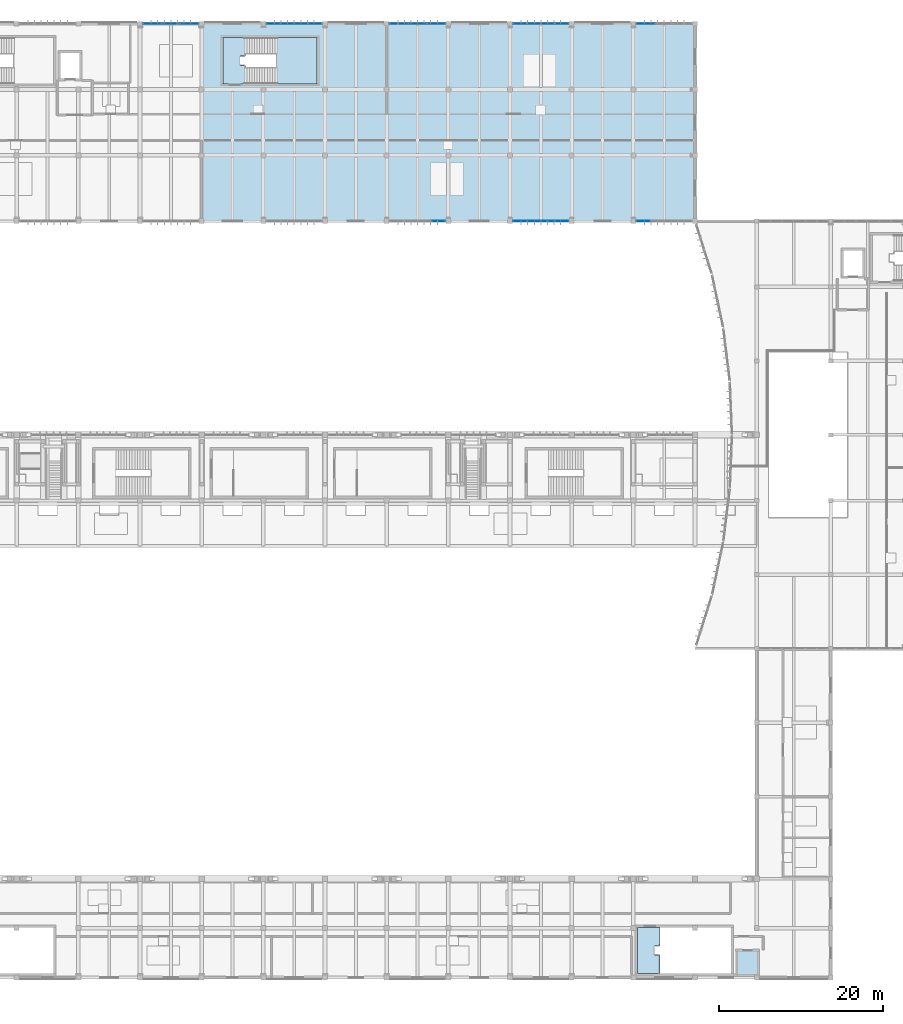
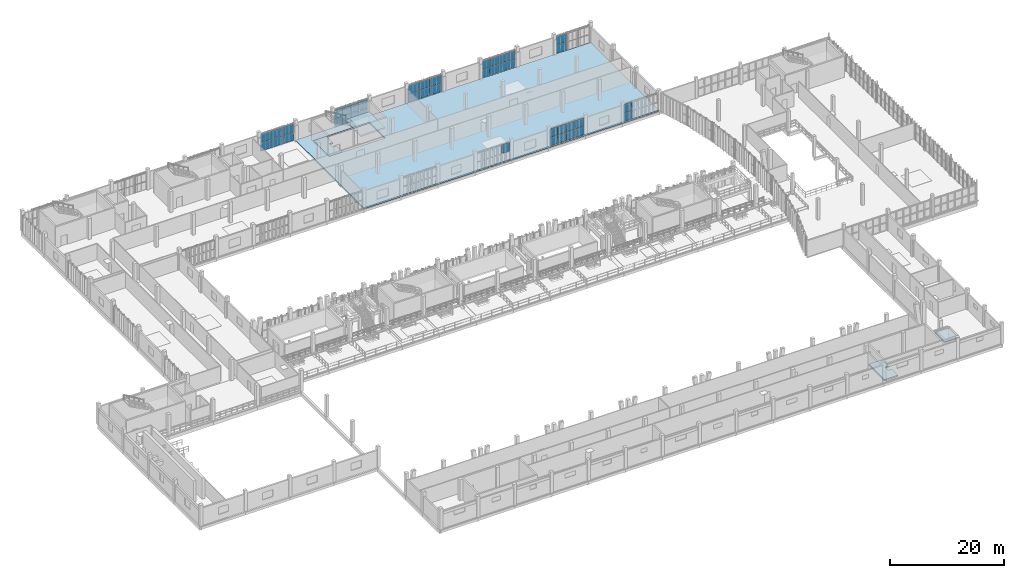
# One storey, part 44 of 81: 41 plates, 5 slabs, 9 elements without a shape of their own.
"""IFC4 building model written with IfcOpenShell, lengths in metres."""

from ifc_helpers import new_model, si_unit, direction, frame, origin, origin_2d, place, context, subcontext, project, spatial, polyline, rectangle, outline, extrude, material, layer, layer_set, type_object, element, aggregate, save


model = new_model("IFC4")

# Units and contexts
model_context = context("Model", 3, precision=1e-05, world=origin(), true_north=direction((0.0, 1.0)))
body_context = subcontext(model_context, "Body", "Model", "MODEL_VIEW")
ifc_project = project(units=[si_unit("LENGTHUNIT", "METRE"), si_unit("AREAUNIT", "SQUARE_METRE"), si_unit("VOLUMEUNIT", "CUBIC_METRE"), si_unit("PLANEANGLEUNIT", "RADIAN"), si_unit("MASSUNIT", "GRAM", prefix="KILO")], contexts=[model_context])

# Site, building, storey
site_placement = place(None, origin())
site = spatial("IfcSite", under=ifc_project, at=site_placement, CompositionType="ELEMENT")
building_placement = place(site_placement, origin())
building = spatial("IfcBuilding", under=site, at=building_placement, Name="Vourika Railside Aquatics Centre", CompositionType="ELEMENT")
storey_placement = place(building_placement, frame((0.0, 0.0, 4.800048828125)))
storey = spatial("IfcBuildingStorey", under=building, at=storey_placement, Name="L01", CompositionType="ELEMENT", Elevation=4.800048828125)

# Curtain wall, plates
ifc_material_1 = material(Name="Anodized thermally broken aluminium", Category="aluminium")
curtain_wall_type = type_object("IfcCurtainWallType", Name="CW-FIT1", PredefinedType="NOTDEFINED", material=ifc_material_1)
curtain_wall_1_placement = place(storey_placement, origin())
curtain_wall_1 = element("IfcCurtainWall", 1, at=curtain_wall_1_placement, inside=storey, type_object=curtain_wall_type, Name="North Boulevard Curtain Wall L01-7", PredefinedType="NOTDEFINED")
ifc_material_2 = material(Name="Low-E solar-control laminated double glazing", Category="glass")
ifc_layer_1 = layer(ifc_material_2, 0.02392578125, Name="CWP-FIT1")
ifc_layer_set_1 = layer_set([ifc_layer_1], Name="Low-E solar-control laminated double glazing")
plate_type = type_object("IfcPlateType", Name="CWP-FIT1", PredefinedType="CURTAIN_PANEL", material=ifc_layer_set_1)
plate_1_placement = place(storey_placement, frame((72.014404296875, 116.0, 0.06201171875), z_axis=(0.0, 0.0, 1.0), x_axis=(-1.0, 0.0, 0.0)))
plate_1 = element("IfcPlate", 2, at=plate_1_placement, type_object=plate_type, Name="CW15 panel 1.1", PredefinedType="CURTAIN_PANEL", context=body_context, shape_type="SweptSolid", body=[
    extrude(rectangle(XDim=2.18701171875, YDim=0.02392578125, at=origin_2d()), origin(), (0.0, 0.0, 1.0), 1.757080078125),
])
plate_2_placement = place(storey_placement, frame((72.014404296875, 116.0, 1.880859375), z_axis=(0.0, 0.0, 1.0), x_axis=(-1.0, 0.0, 0.0)))
plate_2 = element("IfcPlate", 3, at=plate_2_placement, type_object=plate_type, Name="CW15 panel 1.2", PredefinedType="CURTAIN_PANEL", context=body_context, shape_type="SweptSolid", body=[
    extrude(rectangle(XDim=2.18701171875, YDim=0.02392578125, at=origin_2d()), origin(), (0.0, 0.0, 1.0), 1.757080078125),
])
plate_3_placement = place(storey_placement, frame((69.75, 116.0, 0.06201171875), z_axis=(0.0, 0.0, 1.0), x_axis=(-1.0, 0.0, 0.0)))
plate_3 = element("IfcPlate", 4, at=plate_3_placement, type_object=plate_type, Name="CW15 panel 2.1", PredefinedType="CURTAIN_PANEL", context=body_context, shape_type="SweptSolid", body=[
    extrude(rectangle(XDim=2.218017578125, YDim=0.02392578125, at=origin_2d()), origin(), (0.0, 0.0, 1.0), 1.757080078125),
])
plate_4_placement = place(storey_placement, frame((69.75, 116.0, 1.880859375), z_axis=(0.0, 0.0, 1.0), x_axis=(-1.0, 0.0, 0.0)))
plate_4 = element("IfcPlate", 5, at=plate_4_placement, type_object=plate_type, Name="CW15 panel 2.2", PredefinedType="CURTAIN_PANEL", context=body_context, shape_type="SweptSolid", body=[
    extrude(rectangle(XDim=2.218017578125, YDim=0.02392578125, at=origin_2d()), origin(), (0.0, 0.0, 1.0), 1.757080078125),
])
plate_5_placement = place(storey_placement, frame((67.485595703125, 116.0, 0.06201171875), z_axis=(0.0, 0.0, 1.0), x_axis=(-1.0, 0.0, 0.0)))
plate_5 = element("IfcPlate", 6, at=plate_5_placement, type_object=plate_type, Name="CW15 panel 3.1", PredefinedType="CURTAIN_PANEL", context=body_context, shape_type="SweptSolid", body=[
    extrude(rectangle(XDim=2.18701171875, YDim=0.02392578125, at=origin_2d()), origin(), (0.0, 0.0, 1.0), 1.757080078125),
])
plate_6_placement = place(storey_placement, frame((67.485595703125, 116.0, 1.880859375), z_axis=(0.0, 0.0, 1.0), x_axis=(-1.0, 0.0, 0.0)))
plate_6 = element("IfcPlate", 7, at=plate_6_placement, type_object=plate_type, Name="CW15 panel 3.2", PredefinedType="CURTAIN_PANEL", context=body_context, shape_type="SweptSolid", body=[
    extrude(rectangle(XDim=2.18701171875, YDim=0.02392578125, at=origin_2d()), origin(), (0.0, 0.0, 1.0), 1.757080078125),
])
aggregate(curtain_wall_1, [plate_1, plate_2, plate_3, plate_4, plate_5, plate_6])

curtain_wall_2_placement = place(storey_placement, origin())
curtain_wall_2 = element("IfcCurtainWall", 8, at=curtain_wall_2_placement, inside=storey, type_object=curtain_wall_type, Name="North Boulevard Curtain Wall L01-9", PredefinedType="NOTDEFINED")
plate_7_placement = place(storey_placement, frame((87.299560546875, 116.0, 0.06201171875), z_axis=(0.0, 0.0, 1.0), x_axis=(-1.0, 0.0, 0.0)))
plate_7 = element("IfcPlate", 9, at=plate_7_placement, type_object=plate_type, Name="CW15 panel 1.1", PredefinedType="CURTAIN_PANEL", context=body_context, shape_type="SweptSolid", body=[
    extrude(rectangle(XDim=1.616943359375, YDim=0.02392578125, at=origin_2d()), origin(), (0.0, 0.0, 1.0), 1.757080078125),
])
plate_8_placement = place(storey_placement, frame((87.299560546875, 116.0, 1.880859375), z_axis=(0.0, 0.0, 1.0), x_axis=(-1.0, 0.0, 0.0)))
plate_8 = element("IfcPlate", 10, at=plate_8_placement, type_object=plate_type, Name="CW15 panel 1.2", PredefinedType="CURTAIN_PANEL", context=body_context, shape_type="SweptSolid", body=[
    extrude(rectangle(XDim=1.616943359375, YDim=0.02392578125, at=origin_2d()), origin(), (0.0, 0.0, 1.0), 1.757080078125),
])
plate_9_placement = place(storey_placement, frame((85.60498046875, 116.0, 0.06201171875), z_axis=(0.0, 0.0, 1.0), x_axis=(-1.0, 0.0, 0.0)))
plate_9 = element("IfcPlate", 11, at=plate_9_placement, type_object=plate_type, Name="CW15 panel 2.1", PredefinedType="CURTAIN_PANEL", context=body_context, shape_type="SweptSolid", body=[
    extrude(rectangle(XDim=1.64794921875, YDim=0.02392578125, at=origin_2d()), origin(), (0.0, 0.0, 1.0), 1.757080078125),
])
plate_10_placement = place(storey_placement, frame((85.60498046875, 116.0, 1.880859375), z_axis=(0.0, 0.0, 1.0), x_axis=(-1.0, 0.0, 0.0)))
plate_10 = element("IfcPlate", 12, at=plate_10_placement, type_object=plate_type, Name="CW15 panel 2.2", PredefinedType="CURTAIN_PANEL", context=body_context, shape_type="SweptSolid", body=[
    extrude(rectangle(XDim=1.64794921875, YDim=0.02392578125, at=origin_2d()), origin(), (0.0, 0.0, 1.0), 1.757080078125),
])
plate_11_placement = place(storey_placement, frame((83.89501953125, 116.0, 0.06201171875), z_axis=(0.0, 0.0, 1.0), x_axis=(-1.0, 0.0, 0.0)))
plate_11 = element("IfcPlate", 13, at=plate_11_placement, type_object=plate_type, Name="CW15 panel 3.1", PredefinedType="CURTAIN_PANEL", context=body_context, shape_type="SweptSolid", body=[
    extrude(rectangle(XDim=1.64794921875, YDim=0.02392578125, at=origin_2d()), origin(), (0.0, 0.0, 1.0), 1.757080078125),
])
plate_12_placement = place(storey_placement, frame((83.89501953125, 116.0, 1.880859375), z_axis=(0.0, 0.0, 1.0), x_axis=(-1.0, 0.0, 0.0)))
plate_12 = element("IfcPlate", 14, at=plate_12_placement, type_object=plate_type, Name="CW15 panel 3.2", PredefinedType="CURTAIN_PANEL", context=body_context, shape_type="SweptSolid", body=[
    extrude(rectangle(XDim=1.64794921875, YDim=0.02392578125, at=origin_2d()), origin(), (0.0, 0.0, 1.0), 1.757080078125),
])
plate_13_placement = place(storey_placement, frame((82.200439453125, 116.0, 0.06201171875), z_axis=(0.0, 0.0, 1.0), x_axis=(-1.0, 0.0, 0.0)))
plate_13 = element("IfcPlate", 15, at=plate_13_placement, type_object=plate_type, Name="CW15 panel 4.1", PredefinedType="CURTAIN_PANEL", context=body_context, shape_type="SweptSolid", body=[
    extrude(rectangle(XDim=1.616943359375, YDim=0.02392578125, at=origin_2d()), origin(), (0.0, 0.0, 1.0), 1.757080078125),
])
plate_14_placement = place(storey_placement, frame((82.200439453125, 116.0, 1.880859375), z_axis=(0.0, 0.0, 1.0), x_axis=(-1.0, 0.0, 0.0)))
plate_14 = element("IfcPlate", 16, at=plate_14_placement, type_object=plate_type, Name="CW15 panel 4.2", PredefinedType="CURTAIN_PANEL", context=body_context, shape_type="SweptSolid", body=[
    extrude(rectangle(XDim=1.616943359375, YDim=0.02392578125, at=origin_2d()), origin(), (0.0, 0.0, 1.0), 1.757080078125),
])
aggregate(curtain_wall_2, [plate_7, plate_8, plate_9, plate_10, plate_11, plate_12, plate_13, plate_14])

curtain_wall_3_placement = place(storey_placement, origin())
curtain_wall_3 = element("IfcCurtainWall", 17, at=curtain_wall_3_placement, inside=storey, type_object=curtain_wall_type, Name="North Boulevard Curtain Wall L01-11", PredefinedType="NOTDEFINED")
plate_15_placement = place(storey_placement, frame((102.014404296875, 116.0, 0.06201171875), z_axis=(0.0, 0.0, 1.0), x_axis=(-1.0, 0.0, 0.0)))
plate_15 = element("IfcPlate", 18, at=plate_15_placement, type_object=plate_type, Name="CW15 panel 1.1", PredefinedType="CURTAIN_PANEL", context=body_context, shape_type="SweptSolid", body=[
    extrude(rectangle(XDim=2.18701171875, YDim=0.02392578125, at=origin_2d()), origin(), (0.0, 0.0, 1.0), 1.757080078125),
])
plate_16_placement = place(storey_placement, frame((102.014404296875, 116.0, 1.880859375), z_axis=(0.0, 0.0, 1.0), x_axis=(-1.0, 0.0, 0.0)))
plate_16 = element("IfcPlate", 19, at=plate_16_placement, type_object=plate_type, Name="CW15 panel 1.2", PredefinedType="CURTAIN_PANEL", context=body_context, shape_type="SweptSolid", body=[
    extrude(rectangle(XDim=2.18701171875, YDim=0.02392578125, at=origin_2d()), origin(), (0.0, 0.0, 1.0), 1.757080078125),
])
plate_17_placement = place(storey_placement, frame((99.75, 116.0, 0.06201171875), z_axis=(0.0, 0.0, 1.0), x_axis=(-1.0, 0.0, 0.0)))
plate_17 = element("IfcPlate", 20, at=plate_17_placement, type_object=plate_type, Name="CW15 panel 2.1", PredefinedType="CURTAIN_PANEL", context=body_context, shape_type="SweptSolid", body=[
    extrude(rectangle(XDim=2.218017578125, YDim=0.02392578125, at=origin_2d()), origin(), (0.0, 0.0, 1.0), 1.757080078125),
])
plate_18_placement = place(storey_placement, frame((99.75, 116.0, 1.880859375), z_axis=(0.0, 0.0, 1.0), x_axis=(-1.0, 0.0, 0.0)))
plate_18 = element("IfcPlate", 21, at=plate_18_placement, type_object=plate_type, Name="CW15 panel 2.2", PredefinedType="CURTAIN_PANEL", context=body_context, shape_type="SweptSolid", body=[
    extrude(rectangle(XDim=2.218017578125, YDim=0.02392578125, at=origin_2d()), origin(), (0.0, 0.0, 1.0), 1.757080078125),
])
plate_19_placement = place(storey_placement, frame((97.485595703125, 116.0, 0.06201171875), z_axis=(0.0, 0.0, 1.0), x_axis=(-1.0, 0.0, 0.0)))
plate_19 = element("IfcPlate", 22, at=plate_19_placement, type_object=plate_type, Name="CW15 panel 3.1", PredefinedType="CURTAIN_PANEL", context=body_context, shape_type="SweptSolid", body=[
    extrude(rectangle(XDim=2.18701171875, YDim=0.02392578125, at=origin_2d()), origin(), (0.0, 0.0, 1.0), 1.757080078125),
])
plate_20_placement = place(storey_placement, frame((97.485595703125, 116.0, 1.880859375), z_axis=(0.0, 0.0, 1.0), x_axis=(-1.0, 0.0, 0.0)))
plate_20 = element("IfcPlate", 23, at=plate_20_placement, type_object=plate_type, Name="CW15 panel 3.2", PredefinedType="CURTAIN_PANEL", context=body_context, shape_type="SweptSolid", body=[
    extrude(rectangle(XDim=2.18701171875, YDim=0.02392578125, at=origin_2d()), origin(), (0.0, 0.0, 1.0), 1.757080078125),
])
aggregate(curtain_wall_3, [plate_15, plate_16, plate_17, plate_18, plate_19, plate_20])

curtain_wall_4_placement = place(storey_placement, origin())
curtain_wall_4 = element("IfcCurtainWall", 24, at=curtain_wall_4_placement, inside=storey, type_object=curtain_wall_type, Name="North Boulevard Curtain Wall L01-13", PredefinedType="NOTDEFINED")
plate_21_placement = place(storey_placement, frame((117.299560546875, 116.0, 0.06201171875), z_axis=(0.0, 0.0, 1.0), x_axis=(-1.0, 0.0, 0.0)))
plate_21 = element("IfcPlate", 25, at=plate_21_placement, type_object=plate_type, Name="CW15 panel 1.1", PredefinedType="CURTAIN_PANEL", context=body_context, shape_type="SweptSolid", body=[
    extrude(rectangle(XDim=1.616943359375, YDim=0.02392578125, at=origin_2d()), origin(), (0.0, 0.0, 1.0), 1.757080078125),
])
plate_22_placement = place(storey_placement, frame((117.299560546875, 116.0, 1.880859375), z_axis=(0.0, 0.0, 1.0), x_axis=(-1.0, 0.0, 0.0)))
plate_22 = element("IfcPlate", 26, at=plate_22_placement, type_object=plate_type, Name="CW15 panel 1.2", PredefinedType="CURTAIN_PANEL", context=body_context, shape_type="SweptSolid", body=[
    extrude(rectangle(XDim=1.616943359375, YDim=0.02392578125, at=origin_2d()), origin(), (0.0, 0.0, 1.0), 1.757080078125),
])
plate_23_placement = place(storey_placement, frame((115.60498046875, 116.0, 0.06201171875), z_axis=(0.0, 0.0, 1.0), x_axis=(-1.0, 0.0, 0.0)))
plate_23 = element("IfcPlate", 27, at=plate_23_placement, type_object=plate_type, Name="CW15 panel 2.1", PredefinedType="CURTAIN_PANEL", context=body_context, shape_type="SweptSolid", body=[
    extrude(rectangle(XDim=1.64794921875, YDim=0.02392578125, at=origin_2d()), origin(), (0.0, 0.0, 1.0), 1.757080078125),
])
plate_24_placement = place(storey_placement, frame((115.60498046875, 116.0, 1.880859375), z_axis=(0.0, 0.0, 1.0), x_axis=(-1.0, 0.0, 0.0)))
plate_24 = element("IfcPlate", 28, at=plate_24_placement, type_object=plate_type, Name="CW15 panel 2.2", PredefinedType="CURTAIN_PANEL", context=body_context, shape_type="SweptSolid", body=[
    extrude(rectangle(XDim=1.64794921875, YDim=0.02392578125, at=origin_2d()), origin(), (0.0, 0.0, 1.0), 1.757080078125),
])
plate_25_placement = place(storey_placement, frame((113.89501953125, 116.0, 0.06201171875), z_axis=(0.0, 0.0, 1.0), x_axis=(-1.0, 0.0, 0.0)))
plate_25 = element("IfcPlate", 29, at=plate_25_placement, type_object=plate_type, Name="CW15 panel 3.1", PredefinedType="CURTAIN_PANEL", context=body_context, shape_type="SweptSolid", body=[
    extrude(rectangle(XDim=1.64794921875, YDim=0.02392578125, at=origin_2d()), origin(), (0.0, 0.0, 1.0), 1.757080078125),
])
plate_26_placement = place(storey_placement, frame((113.89501953125, 116.0, 1.880859375), z_axis=(0.0, 0.0, 1.0), x_axis=(-1.0, 0.0, 0.0)))
plate_26 = element("IfcPlate", 30, at=plate_26_placement, type_object=plate_type, Name="CW15 panel 3.2", PredefinedType="CURTAIN_PANEL", context=body_context, shape_type="SweptSolid", body=[
    extrude(rectangle(XDim=1.64794921875, YDim=0.02392578125, at=origin_2d()), origin(), (0.0, 0.0, 1.0), 1.757080078125),
])
plate_27_placement = place(storey_placement, frame((112.200439453125, 116.0, 0.06201171875), z_axis=(0.0, 0.0, 1.0), x_axis=(-1.0, 0.0, 0.0)))
plate_27 = element("IfcPlate", 31, at=plate_27_placement, type_object=plate_type, Name="CW15 panel 4.1", PredefinedType="CURTAIN_PANEL", context=body_context, shape_type="SweptSolid", body=[
    extrude(rectangle(XDim=1.616943359375, YDim=0.02392578125, at=origin_2d()), origin(), (0.0, 0.0, 1.0), 1.757080078125),
])
plate_28_placement = place(storey_placement, frame((112.200439453125, 116.0, 1.880859375), z_axis=(0.0, 0.0, 1.0), x_axis=(-1.0, 0.0, 0.0)))
plate_28 = element("IfcPlate", 32, at=plate_28_placement, type_object=plate_type, Name="CW15 panel 4.2", PredefinedType="CURTAIN_PANEL", context=body_context, shape_type="SweptSolid", body=[
    extrude(rectangle(XDim=1.616943359375, YDim=0.02392578125, at=origin_2d()), origin(), (0.0, 0.0, 1.0), 1.757080078125),
])
aggregate(curtain_wall_4, [plate_21, plate_22, plate_23, plate_24, plate_25, plate_26, plate_27, plate_28])

curtain_wall_5_placement = place(storey_placement, origin())
curtain_wall_5 = element("IfcCurtainWall", 33, at=curtain_wall_5_placement, inside=storey, type_object=curtain_wall_type, Name="North Boulevard Curtain Wall L01-15", PredefinedType="NOTDEFINED")
plate_29_placement = place(storey_placement, frame((127.485595703125, 116.0, 0.06201171875), z_axis=(0.0, 0.0, 1.0), x_axis=(-1.0, 0.0, 0.0)))
plate_29 = element("IfcPlate", 34, at=plate_29_placement, type_object=plate_type, Name="CW15 panel 3.1", PredefinedType="CURTAIN_PANEL", context=body_context, shape_type="SweptSolid", body=[
    extrude(rectangle(XDim=2.18701171875, YDim=0.02392578125, at=origin_2d()), origin(), (0.0, 0.0, 1.0), 1.757080078125),
])
plate_30_placement = place(storey_placement, frame((127.485595703125, 116.0, 1.880859375), z_axis=(0.0, 0.0, 1.0), x_axis=(-1.0, 0.0, 0.0)))
plate_30 = element("IfcPlate", 35, at=plate_30_placement, type_object=plate_type, Name="CW15 panel 3.2", PredefinedType="CURTAIN_PANEL", context=body_context, shape_type="SweptSolid", body=[
    extrude(rectangle(XDim=2.18701171875, YDim=0.02392578125, at=origin_2d()), origin(), (0.0, 0.0, 1.0), 1.757080078125),
])
aggregate(curtain_wall_5, [plate_29, plate_30])

# Curtain wall, plate
curtain_wall_6_placement = place(storey_placement, origin())
curtain_wall_6 = element("IfcCurtainWall", 36, at=curtain_wall_6_placement, inside=storey, type_object=curtain_wall_type, Name="Courtyard Fitness Curtain Wall L01-9", PredefinedType="NOTDEFINED")
plate_31_placement = place(storey_placement, frame((102.299560546875, 92.0, 1.880859375), z_axis=(0.0, 0.0, 1.0), x_axis=(1.0, 0.0, 0.0)))
plate_31 = element("IfcPlate", 37, at=plate_31_placement, type_object=plate_type, Name="CW15 panel 4.2", PredefinedType="CURTAIN_PANEL", context=body_context, shape_type="SweptSolid", body=[
    extrude(rectangle(XDim=1.616943359375, YDim=0.02392578125, at=origin_2d()), origin(), (0.0, 0.0, 1.0), 1.757080078125),
])
aggregate(curtain_wall_6, [plate_31])

# Curtain wall, plates
curtain_wall_7_placement = place(storey_placement, origin())
curtain_wall_7 = element("IfcCurtainWall", 38, at=curtain_wall_7_placement, inside=storey, type_object=curtain_wall_type, Name="Courtyard Fitness Curtain Wall L01-11", PredefinedType="NOTDEFINED")
plate_32_placement = place(storey_placement, frame((112.200439453125, 92.0, 0.06201171875), z_axis=(0.0, 0.0, 1.0), x_axis=(1.0, 0.0, 0.0)))
plate_32 = element("IfcPlate", 39, at=plate_32_placement, type_object=plate_type, Name="CW15 panel 1.1", PredefinedType="CURTAIN_PANEL", context=body_context, shape_type="SweptSolid", body=[
    extrude(rectangle(XDim=1.616943359375, YDim=0.02392578125, at=origin_2d()), origin(), (0.0, 0.0, 1.0), 1.757080078125),
])
plate_33_placement = place(storey_placement, frame((112.200439453125, 92.0, 1.880859375), z_axis=(0.0, 0.0, 1.0), x_axis=(1.0, 0.0, 0.0)))
plate_33 = element("IfcPlate", 40, at=plate_33_placement, type_object=plate_type, Name="CW15 panel 1.2", PredefinedType="CURTAIN_PANEL", context=body_context, shape_type="SweptSolid", body=[
    extrude(rectangle(XDim=1.616943359375, YDim=0.02392578125, at=origin_2d()), origin(), (0.0, 0.0, 1.0), 1.757080078125),
])
plate_34_placement = place(storey_placement, frame((113.89501953125, 92.0, 0.06201171875), z_axis=(0.0, 0.0, 1.0), x_axis=(1.0, 0.0, 0.0)))
plate_34 = element("IfcPlate", 41, at=plate_34_placement, type_object=plate_type, Name="CW15 panel 2.1", PredefinedType="CURTAIN_PANEL", context=body_context, shape_type="SweptSolid", body=[
    extrude(rectangle(XDim=1.64794921875, YDim=0.02392578125, at=origin_2d()), origin(), (0.0, 0.0, 1.0), 1.757080078125),
])
plate_35_placement = place(storey_placement, frame((113.89501953125, 92.0, 1.880859375), z_axis=(0.0, 0.0, 1.0), x_axis=(1.0, 0.0, 0.0)))
plate_35 = element("IfcPlate", 42, at=plate_35_placement, type_object=plate_type, Name="CW15 panel 2.2", PredefinedType="CURTAIN_PANEL", context=body_context, shape_type="SweptSolid", body=[
    extrude(rectangle(XDim=1.64794921875, YDim=0.02392578125, at=origin_2d()), origin(), (0.0, 0.0, 1.0), 1.757080078125),
])
plate_36_placement = place(storey_placement, frame((115.60498046875, 92.0, 0.06201171875), z_axis=(0.0, 0.0, 1.0), x_axis=(1.0, 0.0, 0.0)))
plate_36 = element("IfcPlate", 43, at=plate_36_placement, type_object=plate_type, Name="CW15 panel 3.1", PredefinedType="CURTAIN_PANEL", context=body_context, shape_type="SweptSolid", body=[
    extrude(rectangle(XDim=1.64794921875, YDim=0.02392578125, at=origin_2d()), origin(), (0.0, 0.0, 1.0), 1.757080078125),
])
plate_37_placement = place(storey_placement, frame((115.60498046875, 92.0, 1.880859375), z_axis=(0.0, 0.0, 1.0), x_axis=(1.0, 0.0, 0.0)))
plate_37 = element("IfcPlate", 44, at=plate_37_placement, type_object=plate_type, Name="CW15 panel 3.2", PredefinedType="CURTAIN_PANEL", context=body_context, shape_type="SweptSolid", body=[
    extrude(rectangle(XDim=1.64794921875, YDim=0.02392578125, at=origin_2d()), origin(), (0.0, 0.0, 1.0), 1.757080078125),
])
plate_38_placement = place(storey_placement, frame((117.299560546875, 92.0, 0.06201171875), z_axis=(0.0, 0.0, 1.0), x_axis=(1.0, 0.0, 0.0)))
plate_38 = element("IfcPlate", 45, at=plate_38_placement, type_object=plate_type, Name="CW15 panel 4.1", PredefinedType="CURTAIN_PANEL", context=body_context, shape_type="SweptSolid", body=[
    extrude(rectangle(XDim=1.616943359375, YDim=0.02392578125, at=origin_2d()), origin(), (0.0, 0.0, 1.0), 1.757080078125),
])
plate_39_placement = place(storey_placement, frame((117.299560546875, 92.0, 1.880859375), z_axis=(0.0, 0.0, 1.0), x_axis=(1.0, 0.0, 0.0)))
plate_39 = element("IfcPlate", 46, at=plate_39_placement, type_object=plate_type, Name="CW15 panel 4.2", PredefinedType="CURTAIN_PANEL", context=body_context, shape_type="SweptSolid", body=[
    extrude(rectangle(XDim=1.616943359375, YDim=0.02392578125, at=origin_2d()), origin(), (0.0, 0.0, 1.0), 1.757080078125),
])
aggregate(curtain_wall_7, [plate_32, plate_33, plate_34, plate_35, plate_36, plate_37, plate_38, plate_39])

curtain_wall_8_placement = place(storey_placement, origin())
curtain_wall_8 = element("IfcCurtainWall", 47, at=curtain_wall_8_placement, inside=storey, type_object=curtain_wall_type, Name="Courtyard Fitness Curtain Wall L01-13", PredefinedType="NOTDEFINED")
plate_40_placement = place(storey_placement, frame((127.200439453125, 92.0, 0.06201171875), z_axis=(0.0, 0.0, 1.0), x_axis=(1.0, 0.0, 0.0)))
plate_40 = element("IfcPlate", 48, at=plate_40_placement, type_object=plate_type, Name="CW15 panel 1.1", PredefinedType="CURTAIN_PANEL", context=body_context, shape_type="SweptSolid", body=[
    extrude(rectangle(XDim=1.616943359375, YDim=0.02392578125, at=origin_2d()), origin(), (0.0, 0.0, 1.0), 1.757080078125),
])
plate_41_placement = place(storey_placement, frame((127.200439453125, 92.0, 1.880859375), z_axis=(0.0, 0.0, 1.0), x_axis=(1.0, 0.0, 0.0)))
plate_41 = element("IfcPlate", 49, at=plate_41_placement, type_object=plate_type, Name="CW15 panel 1.2", PredefinedType="CURTAIN_PANEL", context=body_context, shape_type="SweptSolid", body=[
    extrude(rectangle(XDim=1.616943359375, YDim=0.02392578125, at=origin_2d()), origin(), (0.0, 0.0, 1.0), 1.757080078125),
])
aggregate(curtain_wall_8, [plate_40, plate_41])

# Slabs
ifc_material_3 = material(Name="Concrete C35/45", Category="concrete")
ifc_layer_2 = layer(ifc_material_3, 0.31005859375, Name="SLB-CORE-310")
ifc_layer_set_2 = layer_set([ifc_layer_2], Name="Concrete C35/45")
slab_type_1 = type_object("IfcSlabType", Name="SLB-CORE-310", PredefinedType="FLOOR", material=ifc_layer_set_2)
slab_1_placement = place(storey_placement, frame((0.0, 0.0, -0.31005859375)))
element("IfcSlab", 50, at=slab_1_placement, inside=storey, type_object=slab_type_1, Name="Protected Exit Stair Core ST03 Core Floor Landing (L01)", PredefinedType="FLOOR", context=body_context, shape_type="SweptSolid", body=[
    extrude(outline(polyline([(76.10009765625, 108.699951171875), (78.840087890625, 108.699951171875), (78.840087890625, 110.949951171875), (78.14990234375, 110.949951171875), (78.14990234375, 112.050048828125), (78.840087890625, 112.050048828125), (78.840087890625, 114.300048828125), (76.10009765625, 114.300048828125), (76.10009765625, 108.699951171875)])), origin(), (0.0, 0.0, 1.0), 0.31005859375),
])
slab_2_placement = place(storey_placement, frame((0.0, 0.0, -0.31005859375)))
element("IfcSlab", 51, at=slab_2_placement, inside=storey, type_object=slab_type_1, Name="Protected Exit Stair Core ST06 Core Floor Landing (L01)", PredefinedType="FLOOR", context=body_context, shape_type="SweptSolid", body=[
    extrude(outline(polyline([(126.5, 0.5), (129.239990234375, 0.5), (129.239990234375, 2.75), (128.550048828125, 2.75), (128.550048828125, 3.85009765625), (129.239990234375, 3.85009765625), (129.239990234375, 6.10009765625), (126.5, 6.10009765625), (126.5, 0.5)])), origin(), (0.0, 0.0, 1.0), 0.31005859375),
])
ifc_layer_3 = layer(ifc_material_3, 0.300048828125, Name="SLB-FLOOR-300")
ifc_layer_set_3 = layer_set([ifc_layer_3], Name="Concrete C35/45")
slab_type_2 = type_object("IfcSlabType", Name="SLB-FLOOR-300", PredefinedType="FLOOR", material=ifc_layer_set_3)
slab_3_placement = place(storey_placement, frame((0.0, 0.0, -0.300048828125)))
element("IfcSlab", 52, at=slab_3_placement, inside=storey, type_object=slab_type_2, Name="L01 Floor Slab (v5_gym_e)", PredefinedType="FLOOR", context=body_context, shape_type="SweptSolid", body=[
    extrude(outline(polyline([(73.5, 92.0), (73.5, 116.0), (133.5, 116.0), (133.5, 92.0), (73.5, 92.0)]), holes=[polyline([(87.5, 108.699951171875), (87.5, 114.300048828125), (76.10009765625, 114.300048828125), (76.10009765625, 108.699951171875), (87.5, 108.699951171875)])]), origin(), (0.0, 0.0, 1.0), 0.300048828125),
])

# Stair, slab
stair_type = type_object("IfcStairType", Name="STR-CORE-L01", PredefinedType="TWO_STRAIGHT_RUN_STAIR", material=ifc_material_3)
stair_placement = place(storey_placement, origin())
stair = element("IfcStair", 53, at=stair_placement, inside=storey, type_object=stair_type, Name="Protected Exit Stair Core ST03 (L01)", PredefinedType="TWO_STRAIGHT_RUN_STAIR")
ifc_layer_4 = layer(ifc_material_3, 0.31005859375, Name="SLB-LND-310")
ifc_layer_set_4 = layer_set([ifc_layer_4], Name="Concrete C35/45")
slab_type_3 = type_object("IfcSlabType", Name="SLB-LND-310", PredefinedType="LANDING", material=ifc_layer_set_4)
slab_4_placement = place(storey_placement, frame((0.0, 0.0, 1.93994140625)))
slab_4 = element("IfcSlab", 54, at=slab_4_placement, type_object=slab_type_3, Name="STC-L01 landing 1", PredefinedType="LANDING", context=body_context, shape_type="SweptSolid", body=[
    extrude(outline(polyline([(82.56396484375, 108.699951171875), (87.5, 108.699951171875), (87.5, 114.300048828125), (82.56396484375, 114.300048828125), (82.56396484375, 108.699951171875)])), origin(), (0.0, 0.0, 1.0), 0.31005859375),
])
aggregate(stair, [slab_4])

# Slab
ifc_material_4 = material(Name="Concrete C40/50", Category="concrete")
ifc_layer_5 = layer(ifc_material_4, 0.22998046875, Name="SLB-SHCAP-230")
ifc_layer_set_5 = layer_set([ifc_layer_5], Name="Concrete C40/50")
slab_type_4 = type_object("IfcSlabType", Name="SLB-SHCAP-230", PredefinedType="ROOF", material=ifc_layer_set_5)
slab_5_placement = place(storey_placement, frame((0.0, 0.0, 3.949951171875)))
element("IfcSlab", 55, at=slab_5_placement, inside=storey, type_object=slab_type_4, Name="Lift LP03 Overrun Cap Slab", PredefinedType="ROOF", context=body_context, shape_type="SweptSolid", body=[
    extrude(outline(polyline([(138.449951171875, 0.14990234375), (141.35009765625, 0.14990234375), (141.35009765625, 3.449951171875), (138.449951171875, 3.449951171875), (138.449951171875, 0.14990234375)])), origin(), (0.0, 0.0, 1.0), 0.22998046875),
])

save(model, "model.ifc")
